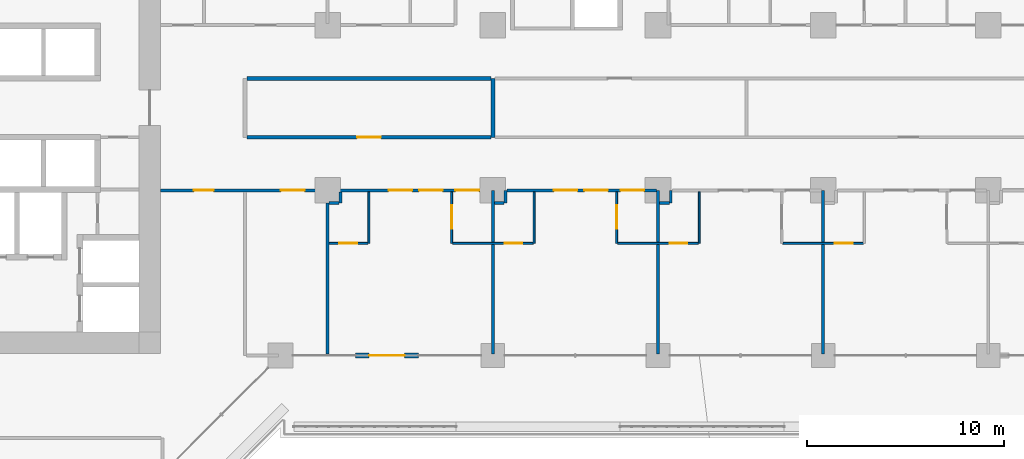
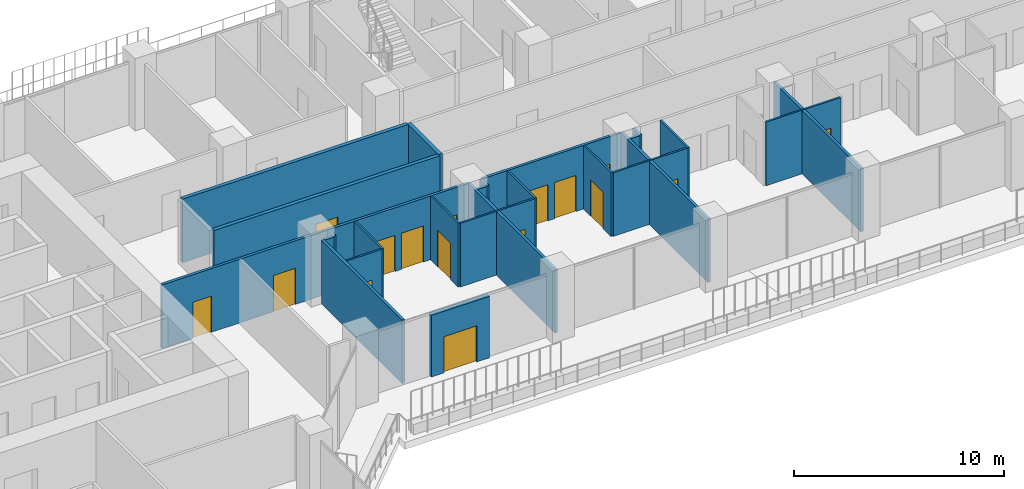
# One storey, part 16 of 28: 25 walls, 16 doors, 16 openings.
"""IFC4 building model written with IfcOpenShell, lengths in metres."""

from ifc_helpers import new_model, si_unit, direction, frame, frame_2d, origin, place, context, subcontext, project, spatial, rectangle, extrude, material, layer, layer_set, type_object, element, fill, save


model = new_model("IFC4")

# Units and contexts
model_context = context("Model", 3, precision=1e-05, world=origin(), true_north=direction((0.0, 1.0)))
body_context = subcontext(model_context, "Body", "Model", "MODEL_VIEW")
ifc_project = project(units=[si_unit("LENGTHUNIT", "METRE"), si_unit("AREAUNIT", "SQUARE_METRE"), si_unit("VOLUMEUNIT", "CUBIC_METRE"), si_unit("PLANEANGLEUNIT", "RADIAN"), si_unit("MASSUNIT", "GRAM", prefix="KILO")], contexts=[model_context])

# Site, building, storey
site_placement = place(None, origin())
site = spatial("IfcSite", under=ifc_project, at=site_placement, CompositionType="ELEMENT")
building_placement = place(site_placement, origin())
building = spatial("IfcBuilding", under=site, at=building_placement, Name="Kawkab Arch Medical Tower", CompositionType="ELEMENT")
storey_placement = place(building_placement, frame((0.0, 0.0, 89.60009765625)))
storey = spatial("IfcBuildingStorey", under=building, at=storey_placement, Name="L20", CompositionType="ELEMENT", Elevation=89.60009765625)

# Wall, opening, door
ifc_material_1 = material(Name="Bronze clad insulated wall panel")
ifc_layer_1 = layer(ifc_material_1, 0.25)
ifc_layer_set_1 = layer_set([ifc_layer_1], Name="Bronze clad insulated wall panel")
wall_type_1 = type_object("IfcWallType", Name="External wall bay 250", PredefinedType="SOLIDWALL", material=ifc_layer_set_1)
wall_1_placement = place(storey_placement, frame((35.0166015625, -25.199951171875, 0.0), z_axis=(0.0, 0.0, 1.0), x_axis=(1.0, 0.0, 0.0)))
wall_1 = element("IfcWall", 1, at=wall_1_placement, inside=storey, type_object=wall_type_1, Name="External wall bay L20.R07.1.2", PredefinedType="SOLIDWALL", context=body_context, shape_type="SweptSolid", body=[
    extrude(rectangle(XDim=3.191650390625, YDim=0.25, at=frame_2d((1.595703125, 0.0))), origin(), (0.0, 0.0, 1.0), 3.579833984375),
])
opening_1_placement = place(wall_1_placement, frame((0.69580078125, 0.0, 0.0)))
opening_1 = element("IfcOpeningElement", 2, at=opening_1_placement, cuts=wall_1, Name="Opening W13B-702", PredefinedType="OPENING", context=body_context, shape_type="SweptSolid", body=[
    extrude(rectangle(XDim=1.800048828125, YDim=2.10009765625, at=frame_2d((0.89990234375, 1.050048828125))), frame((0.0, 0.135009765625, 0.0), z_axis=(0.0, -1.0, 0.0), x_axis=(1.0, 0.0, 0.0)), (0.0, 0.0, 1.0), 0.27001953125),
])
ifc_material_2 = material(Name="Bronze anodised aluminium door with tinted glass", Category="aluminium")
door_type_1 = type_object("IfcDoorType", Name="Double external door 1800 x 2100", OperationType="DOUBLE_DOOR_SINGLE_SWING", PredefinedType="DOOR", material=ifc_material_2)
door_1_placement = place(opening_1_placement, origin())
door_1 = element("IfcDoor", 3, at=door_1_placement, inside=storey, type_object=door_type_1, Name="External door L20.R07.1.2", OperationType="DOUBLE_DOOR_SINGLE_SWING", OverallHeight=2.10009765625, OverallWidth=1.800048828125, PredefinedType="DOOR", context=body_context, shape_type="SweptSolid", body=[
    extrude(rectangle(XDim=1.800048828125, YDim=2.10009765625, at=frame_2d((0.89990234375, 1.050048828125))), frame((0.0, 0.02490234375, 0.0), z_axis=(0.0, -1.0, 0.0), x_axis=(1.0, 0.0, 0.0)), (0.0, 0.0, 1.0), 0.050048828125),
])
fill(opening_1, door_1)

ifc_material_3 = material(Name="Gypsum board partition on steel studs", Category="steel")
ifc_layer_2 = layer(ifc_material_3, 0.10009765625)
ifc_layer_set_2 = layer_set([ifc_layer_2], Name="Gypsum board partition on steel studs")
wall_type_2 = type_object("IfcWallType", Name="Partition 100", PredefinedType="PARTITIONING", material=ifc_layer_set_2)
wall_2_placement = place(storey_placement, frame((33.675048828125, -19.5, 0.0), z_axis=(0.0, 0.0, 1.0), x_axis=(1.0, 0.0, 0.0)))
wall_2 = element("IfcWall", 4, at=wall_2_placement, inside=storey, type_object=wall_type_2, Name="Partition 100 w012", PredefinedType="PARTITIONING", context=body_context, shape_type="SweptSolid", body=[
    extrude(rectangle(XDim=1.974853515625, YDim=0.10009765625, at=frame_2d((0.9873046875, 0.0))), origin(), (0.0, 0.0, 1.0), 3.699951171875),
])
opening_2_placement = place(wall_2_placement, frame((0.52490234375, 0.0, 0.0)))
opening_2 = element("IfcOpeningElement", 5, at=opening_2_placement, cuts=wall_2, Name="Opening W13B-004", PredefinedType="OPENING", context=body_context, shape_type="SweptSolid", body=[
    extrude(rectangle(XDim=0.89990234375, YDim=2.10009765625, at=frame_2d((0.449951171875, 1.050048828125))), frame((0.0, 0.06005859375, 0.0), z_axis=(0.0, -1.0, 0.0), x_axis=(1.0, 0.0, 0.0)), (0.0, 0.0, 1.0), 0.1201171875),
])
ifc_material_4 = material(Name="Timber door leaf", Category="wood")
door_type_2 = type_object("IfcDoorType", Name="Single door 900x2100", OperationType="NOTDEFINED", PredefinedType="DOOR", material=ifc_material_4)
door_2_placement = place(opening_2_placement, origin())
door_2 = element("IfcDoor", 6, at=door_2_placement, inside=storey, type_object=door_type_2, Name="Door W13B-004", OperationType="SINGLE_SWING_LEFT", OverallHeight=2.10009765625, OverallWidth=0.89990234375, PredefinedType="DOOR", context=body_context, shape_type="SweptSolid", body=[
    extrude(rectangle(XDim=0.89990234375, YDim=2.10009765625, at=frame_2d((0.449951171875, 1.050048828125))), frame((0.0, 0.02490234375, 0.0), z_axis=(0.0, -1.0, 0.0), x_axis=(1.0, 0.0, 0.0)), (0.0, 0.0, 1.0), 0.050048828125),
])
fill(opening_2, door_2)

wall_3_placement = place(storey_placement, frame((39.949951171875, -19.5, 0.0), z_axis=(0.0, 0.0, 1.0), x_axis=(1.0, 0.0, 0.0)))
wall_3 = element("IfcWall", 7, at=wall_3_placement, inside=storey, type_object=wall_type_2, Name="Partition 100 w013", PredefinedType="PARTITIONING", context=body_context, shape_type="SweptSolid", body=[
    extrude(rectangle(XDim=4.10009765625, YDim=0.10009765625, at=frame_2d((2.050048828125, 0.0))), origin(), (0.0, 0.0, 1.0), 3.699951171875),
])
opening_3_placement = place(wall_3_placement, frame((2.64990234375, 0.0, 0.0)))
opening_3 = element("IfcOpeningElement", 8, at=opening_3_placement, cuts=wall_3, Name="Opening W13B-005", PredefinedType="OPENING", context=body_context, shape_type="SweptSolid", body=[
    extrude(rectangle(XDim=0.89990234375, YDim=2.10009765625, at=frame_2d((0.449951171875, 1.050048828125))), frame((0.0, 0.06005859375, 0.0), z_axis=(0.0, -1.0, 0.0), x_axis=(1.0, 0.0, 0.0)), (0.0, 0.0, 1.0), 0.1201171875),
])
door_3_placement = place(opening_3_placement, origin())
door_3 = element("IfcDoor", 9, at=door_3_placement, inside=storey, type_object=door_type_2, Name="Door W13B-005", OperationType="SINGLE_SWING_LEFT", OverallHeight=2.10009765625, OverallWidth=0.89990234375, PredefinedType="DOOR", context=body_context, shape_type="SweptSolid", body=[
    extrude(rectangle(XDim=0.89990234375, YDim=2.10009765625, at=frame_2d((0.449951171875, 1.050048828125))), frame((0.0, 0.02490234375, 0.0), z_axis=(0.0, -1.0, 0.0), x_axis=(1.0, 0.0, 0.0)), (0.0, 0.0, 1.0), 0.050048828125),
])
fill(opening_3, door_3)

wall_4_placement = place(storey_placement, frame((48.35009765625, -19.5, 0.0), z_axis=(0.0, 0.0, 1.0), x_axis=(1.0, 0.0, 0.0)))
wall_4 = element("IfcWall", 10, at=wall_4_placement, inside=storey, type_object=wall_type_2, Name="Partition 100 w014", PredefinedType="PARTITIONING", context=body_context, shape_type="SweptSolid", body=[
    extrude(rectangle(XDim=4.099853515625, YDim=0.10009765625, at=frame_2d((2.0498046875, 0.0))), origin(), (0.0, 0.0, 1.0), 3.699951171875),
])
opening_4_placement = place(wall_4_placement, frame((2.64990234375, 0.0, 0.0)))
opening_4 = element("IfcOpeningElement", 11, at=opening_4_placement, cuts=wall_4, Name="Opening W13B-006", PredefinedType="OPENING", context=body_context, shape_type="SweptSolid", body=[
    extrude(rectangle(XDim=0.89990234375, YDim=2.10009765625, at=frame_2d((0.449951171875, 1.050048828125))), frame((0.0, 0.06005859375, 0.0), z_axis=(0.0, -1.0, 0.0), x_axis=(1.0, 0.0, 0.0)), (0.0, 0.0, 1.0), 0.1201171875),
])
door_4_placement = place(opening_4_placement, origin())
door_4 = element("IfcDoor", 12, at=door_4_placement, inside=storey, type_object=door_type_2, Name="Door W13B-006", OperationType="SINGLE_SWING_LEFT", OverallHeight=2.10009765625, OverallWidth=0.89990234375, PredefinedType="DOOR", context=body_context, shape_type="SweptSolid", body=[
    extrude(rectangle(XDim=0.89990234375, YDim=2.10009765625, at=frame_2d((0.449951171875, 1.050048828125))), frame((0.0, 0.02490234375, 0.0), z_axis=(0.0, -1.0, 0.0), x_axis=(1.0, 0.0, 0.0)), (0.0, 0.0, 1.0), 0.050048828125),
])
fill(opening_4, door_4)

wall_5_placement = place(storey_placement, frame((56.75, -19.5, 0.0), z_axis=(0.0, 0.0, 1.0), x_axis=(1.0, 0.0, 0.0)))
wall_5 = element("IfcWall", 13, at=wall_5_placement, inside=storey, type_object=wall_type_2, Name="Partition 100 w015", PredefinedType="PARTITIONING", context=body_context, shape_type="SweptSolid", body=[
    extrude(rectangle(XDim=4.10009765625, YDim=0.10009765625, at=frame_2d((2.050048828125, 0.0))), origin(), (0.0, 0.0, 1.0), 3.699951171875),
])
opening_5_placement = place(wall_5_placement, frame((2.64990234375, 0.0, 0.0)))
opening_5 = element("IfcOpeningElement", 14, at=opening_5_placement, cuts=wall_5, Name="Opening W13B-007", PredefinedType="OPENING", context=body_context, shape_type="SweptSolid", body=[
    extrude(rectangle(XDim=0.89990234375, YDim=2.10009765625, at=frame_2d((0.449951171875, 1.050048828125))), frame((0.0, 0.06005859375, 0.0), z_axis=(0.0, -1.0, 0.0), x_axis=(1.0, 0.0, 0.0)), (0.0, 0.0, 1.0), 0.1201171875),
])
door_5_placement = place(opening_5_placement, origin())
door_5 = element("IfcDoor", 15, at=door_5_placement, inside=storey, type_object=door_type_2, Name="Door W13B-007", OperationType="SINGLE_SWING_LEFT", OverallHeight=2.10009765625, OverallWidth=0.89990234375, PredefinedType="DOOR", context=body_context, shape_type="SweptSolid", body=[
    extrude(rectangle(XDim=0.89990234375, YDim=2.10009765625, at=frame_2d((0.449951171875, 1.050048828125))), frame((0.0, 0.02490234375, 0.0), z_axis=(0.0, -1.0, 0.0), x_axis=(1.0, 0.0, 0.0)), (0.0, 0.0, 1.0), 0.050048828125),
])
fill(opening_5, door_5)

# Wall
wall_6_placement = place(storey_placement, frame((35.699951171875, -19.5, 0.0), z_axis=(0.0, 0.0, 1.0), x_axis=(0.0, 1.0, 0.0)))
element("IfcWall", 16, at=wall_6_placement, inside=storey, type_object=wall_type_2, Name="Partition 100 w029", PredefinedType="PARTITIONING", context=body_context, shape_type="SweptSolid", body=[
    extrude(rectangle(XDim=2.625, YDim=0.10009765625, at=frame_2d((1.3125, 0.0))), origin(), (0.0, 0.0, 1.0), 3.699951171875),
])

# Wall, opening, door
wall_7_placement = place(storey_placement, frame((39.89990234375, -19.5, 0.0), z_axis=(0.0, 0.0, 1.0), x_axis=(0.0, 1.0, 0.0)))
wall_7 = element("IfcWall", 17, at=wall_7_placement, inside=storey, type_object=wall_type_2, Name="Partition 100 w030", PredefinedType="PARTITIONING", context=body_context, shape_type="SweptSolid", body=[
    extrude(rectangle(XDim=2.625, YDim=0.10009765625, at=frame_2d((1.3125, 0.0))), origin(), (0.0, 0.0, 1.0), 3.699951171875),
])
opening_6_placement = place(wall_7_placement, frame((0.75, 0.0, 0.0)))
opening_6 = element("IfcOpeningElement", 18, at=opening_6_placement, cuts=wall_7, Name="Opening W13B-050", PredefinedType="OPENING", context=body_context, shape_type="SweptSolid", body=[
    extrude(rectangle(XDim=1.199951171875, YDim=2.10009765625, at=frame_2d((0.60009765625, 1.050048828125))), frame((0.0, 0.06005859375, 0.0), z_axis=(0.0, -1.0, 0.0), x_axis=(1.0, 0.0, 0.0)), (0.0, 0.0, 1.0), 0.1201171875),
])
ifc_material_5 = material(Name="Timber door leaf", Category="wood")
door_type_3 = type_object("IfcDoorType", Name="Single door 1200x2100", OperationType="NOTDEFINED", PredefinedType="DOOR", material=ifc_material_5)
door_6_placement = place(opening_6_placement, origin())
door_6 = element("IfcDoor", 19, at=door_6_placement, inside=storey, type_object=door_type_3, Name="Door W13B-050", OperationType="SINGLE_SWING_LEFT", OverallHeight=2.10009765625, OverallWidth=1.199951171875, PredefinedType="DOOR", context=body_context, shape_type="SweptSolid", body=[
    extrude(rectangle(XDim=1.199951171875, YDim=2.10009765625, at=frame_2d((0.60009765625, 1.050048828125))), frame((0.0, 0.02490234375, 0.0), z_axis=(0.0, -1.0, 0.0), x_axis=(1.0, 0.0, 0.0)), (0.0, 0.0, 1.0), 0.050048828125),
])
fill(opening_6, door_6)

# Wall
wall_8_placement = place(storey_placement, frame((44.10009765625, -19.5, 0.0), z_axis=(0.0, 0.0, 1.0), x_axis=(0.0, 1.0, 0.0)))
element("IfcWall", 20, at=wall_8_placement, inside=storey, type_object=wall_type_2, Name="Partition 100 w031", PredefinedType="PARTITIONING", context=body_context, shape_type="SweptSolid", body=[
    extrude(rectangle(XDim=2.625, YDim=0.10009765625, at=frame_2d((1.3125, 0.0))), origin(), (0.0, 0.0, 1.0), 3.699951171875),
])

# Wall, opening, door
wall_9_placement = place(storey_placement, frame((48.300048828125, -19.5, 0.0), z_axis=(0.0, 0.0, 1.0), x_axis=(0.0, 1.0, 0.0)))
wall_9 = element("IfcWall", 21, at=wall_9_placement, inside=storey, type_object=wall_type_2, Name="Partition 100 w032", PredefinedType="PARTITIONING", context=body_context, shape_type="SweptSolid", body=[
    extrude(rectangle(XDim=2.625, YDim=0.10009765625, at=frame_2d((1.3125, 0.0))), origin(), (0.0, 0.0, 1.0), 3.699951171875),
])
opening_7_placement = place(wall_9_placement, frame((0.75, 0.0, 0.0)))
opening_7 = element("IfcOpeningElement", 22, at=opening_7_placement, cuts=wall_9, Name="Opening W13B-054", PredefinedType="OPENING", context=body_context, shape_type="SweptSolid", body=[
    extrude(rectangle(XDim=1.199951171875, YDim=2.10009765625, at=frame_2d((0.60009765625, 1.050048828125))), frame((0.0, 0.06005859375, 0.0), z_axis=(0.0, -1.0, 0.0), x_axis=(1.0, 0.0, 0.0)), (0.0, 0.0, 1.0), 0.1201171875),
])
door_7_placement = place(opening_7_placement, origin())
door_7 = element("IfcDoor", 23, at=door_7_placement, inside=storey, type_object=door_type_3, Name="Door W13B-054", OperationType="SINGLE_SWING_RIGHT", OverallHeight=2.10009765625, OverallWidth=1.199951171875, PredefinedType="DOOR", context=body_context, shape_type="SweptSolid", body=[
    extrude(rectangle(XDim=1.199951171875, YDim=2.10009765625, at=frame_2d((0.60009765625, 1.050048828125))), frame((0.0, 0.02490234375, 0.0), z_axis=(0.0, -1.0, 0.0), x_axis=(1.0, 0.0, 0.0)), (0.0, 0.0, 1.0), 0.050048828125),
])
fill(opening_7, door_7)

# Walls
wall_10_placement = place(storey_placement, frame((52.5, -19.5, 0.0), z_axis=(0.0, 0.0, 1.0), x_axis=(0.0, 1.0, 0.0)))
element("IfcWall", 24, at=wall_10_placement, inside=storey, type_object=wall_type_2, Name="Partition 100 w033", PredefinedType="PARTITIONING", context=body_context, shape_type="SweptSolid", body=[
    extrude(rectangle(XDim=2.625, YDim=0.10009765625, at=frame_2d((1.3125, 0.0))), origin(), (0.0, 0.0, 1.0), 3.699951171875),
])
ifc_material_6 = material(Name="Gypsum board partition on steel studs, mineral wool", Category="steel")
ifc_layer_3 = layer(ifc_material_6, 0.14990234375)
ifc_layer_set_3 = layer_set([ifc_layer_3], Name="Gypsum board partition on steel studs, mineral wool")
wall_type_3 = type_object("IfcWallType", Name="Partition 150", PredefinedType="PARTITIONING", material=ifc_layer_set_3)
wall_11_placement = place(storey_placement, frame((33.677001953125, -17.449951171875, 0.0), z_axis=(0.0, 0.0, 1.0), x_axis=(1.0, 0.0, 0.0)))
element("IfcWall", 25, at=wall_11_placement, inside=storey, type_object=wall_type_3, Name="Partition 150 w065", PredefinedType="PARTITIONING", context=body_context, shape_type="SweptSolid", body=[
    extrude(rectangle(XDim=0.498046875, YDim=0.14990234375, at=frame_2d((0.2490234375, 0.0))), origin(), (0.0, 0.0, 1.0), 3.699951171875),
])
for number, where, z_axis, x_axis, name in (
    (26, (42.074951171875, -17.449951171875, 0.0), (0.0, 0.0, 1.0), (1.0, 0.0, 0.0), "Partition 150 w066"),
    (27, (50.47509765625, -17.449951171875, 0.0), (0.0, 0.0, 1.0), (1.0, 0.0, 0.0), "Partition 150 w067"),
):
    element("IfcWall", number, at=place(storey_placement, frame(where, z_axis=z_axis, x_axis=x_axis)), inside=storey, type_object=wall_type_3, Name=name, PredefinedType="PARTITIONING", context=body_context, shape_type="SweptSolid", body=[
        extrude(rectangle(XDim=0.5, YDim=0.14990234375, at=frame_2d((0.25, 0.0))), origin(), (0.0, 0.0, 1.0), 3.699951171875),
    ])

# Wall, openings, doors
wall_12_placement = place(storey_placement, frame((25.10009765625, -16.800048828125, 0.0), z_axis=(0.0, 0.0, 1.0), x_axis=(1.0, 0.0, 0.0)))
wall_12 = element("IfcWall", 28, at=wall_12_placement, inside=storey, type_object=wall_type_3, Name="Partition 150 w070", PredefinedType="PARTITIONING", context=body_context, shape_type="SweptSolid", body=[
    extrude(rectangle(XDim=16.822998046875, YDim=0.14990234375, at=frame_2d((8.41162109375, 0.0))), origin(), (0.0, 0.0, 1.0), 3.699951171875),
])
opening_8_placement = place(wall_12_placement, frame((1.699951171875, 0.0, 0.0)))
opening_8 = element("IfcOpeningElement", 29, at=opening_8_placement, cuts=wall_12, Name="Opening W13B-021", PredefinedType="OPENING", context=body_context, shape_type="SweptSolid", body=[
    extrude(rectangle(XDim=1.0, YDim=2.10009765625, at=frame_2d((0.5, 1.050048828125))), frame((0.0, 0.0849609375, 0.0), z_axis=(0.0, -1.0, 0.0), x_axis=(1.0, 0.0, 0.0)), (0.0, 0.0, 1.0), 0.169921875),
])
opening_9_placement = place(wall_12_placement, frame((6.125, 0.0, 0.0)))
opening_9 = element("IfcOpeningElement", 30, at=opening_9_placement, cuts=wall_12, Name="Opening W13B-046", PredefinedType="OPENING", context=body_context, shape_type="SweptSolid", body=[
    extrude(rectangle(XDim=1.199951171875, YDim=2.10009765625, at=frame_2d((0.60009765625, 1.050048828125))), frame((0.0, 0.0849609375, 0.0), z_axis=(0.0, -1.0, 0.0), x_axis=(1.0, 0.0, 0.0)), (0.0, 0.0, 1.0), 0.169921875),
])
opening_10_placement = place(wall_12_placement, frame((13.14990234375, 0.0, 0.0)))
opening_10 = element("IfcOpeningElement", 31, at=opening_10_placement, cuts=wall_12, Name="Opening W13B-047", PredefinedType="OPENING", context=body_context, shape_type="SweptSolid", body=[
    extrude(rectangle(XDim=1.199951171875, YDim=2.10009765625, at=frame_2d((0.60009765625, 1.050048828125))), frame((0.0, 0.0849609375, 0.0), z_axis=(0.0, -1.0, 0.0), x_axis=(1.0, 0.0, 0.0)), (0.0, 0.0, 1.0), 0.169921875),
])
opening_11_placement = place(wall_12_placement, frame((11.60009765625, 0.0, 0.0)))
opening_11 = element("IfcOpeningElement", 32, at=opening_11_placement, cuts=wall_12, Name="Opening W13B-048", PredefinedType="OPENING", context=body_context, shape_type="SweptSolid", body=[
    extrude(rectangle(XDim=1.199951171875, YDim=2.10009765625, at=frame_2d((0.60009765625, 1.050048828125))), frame((0.0, 0.0849609375, 0.0), z_axis=(0.0, -1.0, 0.0), x_axis=(1.0, 0.0, 0.0)), (0.0, 0.0, 1.0), 0.169921875),
])
opening_12_placement = place(wall_12_placement, frame((15.0, 0.0, 0.0)))
opening_12 = element("IfcOpeningElement", 33, at=opening_12_placement, cuts=wall_12, Name="Opening W13B-049", PredefinedType="OPENING", context=body_context, shape_type="SweptSolid", body=[
    extrude(rectangle(XDim=1.199951171875, YDim=2.10009765625, at=frame_2d((0.60009765625, 1.050048828125))), frame((0.0, 0.0849609375, 0.0), z_axis=(0.0, -1.0, 0.0), x_axis=(1.0, 0.0, 0.0)), (0.0, 0.0, 1.0), 0.169921875),
])
ifc_material_7 = material(Name="Hollow metal door leaf")
door_type_4 = type_object("IfcDoorType", Name="Single door 1000x2100 FD30S", OperationType="NOTDEFINED", PredefinedType="DOOR", material=ifc_material_7)
door_8_placement = place(opening_8_placement, origin())
door_8 = element("IfcDoor", 34, at=door_8_placement, inside=storey, type_object=door_type_4, Name="Door W13B-021", OperationType="SINGLE_SWING_RIGHT", OverallHeight=2.10009765625, OverallWidth=1.0, PredefinedType="DOOR", context=body_context, shape_type="SweptSolid", body=[
    extrude(rectangle(XDim=1.0, YDim=2.10009765625, at=frame_2d((0.5, 1.050048828125))), frame((0.0, 0.02490234375, 0.0), z_axis=(0.0, -1.0, 0.0), x_axis=(1.0, 0.0, 0.0)), (0.0, 0.0, 1.0), 0.050048828125),
])
fill(opening_8, door_8)
ifc_material_8 = material(Name="Hollow metal door leaf")
door_type_5 = type_object("IfcDoorType", Name="Single door 1200x2100 FD30S", OperationType="NOTDEFINED", PredefinedType="DOOR", material=ifc_material_8)
door_9_placement = place(opening_9_placement, origin())
door_9 = element("IfcDoor", 35, at=door_9_placement, inside=storey, type_object=door_type_5, Name="Door W13B-046", OperationType="SINGLE_SWING_RIGHT", OverallHeight=2.10009765625, OverallWidth=1.199951171875, PredefinedType="DOOR", context=body_context, shape_type="SweptSolid", body=[
    extrude(rectangle(XDim=1.199951171875, YDim=2.10009765625, at=frame_2d((0.60009765625, 1.050048828125))), frame((0.0, 0.02490234375, 0.0), z_axis=(0.0, -1.0, 0.0), x_axis=(1.0, 0.0, 0.0)), (0.0, 0.0, 1.0), 0.050048828125),
])
fill(opening_9, door_9)
door_10_placement = place(opening_10_placement, origin())
door_10 = element("IfcDoor", 36, at=door_10_placement, inside=storey, type_object=door_type_5, Name="Door W13B-047", OperationType="SINGLE_SWING_LEFT", OverallHeight=2.10009765625, OverallWidth=1.199951171875, PredefinedType="DOOR", context=body_context, shape_type="SweptSolid", body=[
    extrude(rectangle(XDim=1.199951171875, YDim=2.10009765625, at=frame_2d((0.60009765625, 1.050048828125))), frame((0.0, 0.02490234375, 0.0), z_axis=(0.0, -1.0, 0.0), x_axis=(1.0, 0.0, 0.0)), (0.0, 0.0, 1.0), 0.050048828125),
])
fill(opening_10, door_10)
door_11_placement = place(opening_11_placement, origin())
door_11 = element("IfcDoor", 37, at=door_11_placement, inside=storey, type_object=door_type_5, Name="Door W13B-048", OperationType="SINGLE_SWING_LEFT", OverallHeight=2.10009765625, OverallWidth=1.199951171875, PredefinedType="DOOR", context=body_context, shape_type="SweptSolid", body=[
    extrude(rectangle(XDim=1.199951171875, YDim=2.10009765625, at=frame_2d((0.60009765625, 1.050048828125))), frame((0.0, 0.02490234375, 0.0), z_axis=(0.0, -1.0, 0.0), x_axis=(1.0, 0.0, 0.0)), (0.0, 0.0, 1.0), 0.050048828125),
])
fill(opening_11, door_11)
door_12_placement = place(opening_12_placement, origin())
door_12 = element("IfcDoor", 38, at=door_12_placement, inside=storey, type_object=door_type_5, Name="Door W13B-049", OperationType="SINGLE_SWING_LEFT", OverallHeight=2.10009765625, OverallWidth=1.199951171875, PredefinedType="DOOR", context=body_context, shape_type="SweptSolid", body=[
    extrude(rectangle(XDim=1.199951171875, YDim=2.10009765625, at=frame_2d((0.60009765625, 1.050048828125))), frame((0.0, 0.02490234375, 0.0), z_axis=(0.0, -1.0, 0.0), x_axis=(1.0, 0.0, 0.0)), (0.0, 0.0, 1.0), 0.050048828125),
])
fill(opening_12, door_12)

wall_13_placement = place(storey_placement, frame((42.72705078125, -16.800048828125, 0.0), z_axis=(0.0, 0.0, 1.0), x_axis=(1.0, 0.0, 0.0)))
wall_13 = element("IfcWall", 39, at=wall_13_placement, inside=storey, type_object=wall_type_3, Name="Partition 150 w071", PredefinedType="PARTITIONING", context=body_context, shape_type="SweptSolid", body=[
    extrude(rectangle(XDim=7.594970703125, YDim=0.14990234375, at=frame_2d((3.79736328125, 0.0))), origin(), (0.0, 0.0, 1.0), 3.699951171875),
])
opening_13_placement = place(wall_13_placement, frame((3.923095703125, 0.0, 0.0)))
opening_13 = element("IfcOpeningElement", 40, at=opening_13_placement, cuts=wall_13, Name="Opening W13B-051", PredefinedType="OPENING", context=body_context, shape_type="SweptSolid", body=[
    extrude(rectangle(XDim=1.199951171875, YDim=2.10009765625, at=frame_2d((0.60009765625, 1.050048828125))), frame((0.0, 0.0849609375, 0.0), z_axis=(0.0, -1.0, 0.0), x_axis=(1.0, 0.0, 0.0)), (0.0, 0.0, 1.0), 0.169921875),
])
opening_14_placement = place(wall_13_placement, frame((2.373046875, 0.0, 0.0)))
opening_14 = element("IfcOpeningElement", 41, at=opening_14_placement, cuts=wall_13, Name="Opening W13B-052", PredefinedType="OPENING", context=body_context, shape_type="SweptSolid", body=[
    extrude(rectangle(XDim=1.199951171875, YDim=2.10009765625, at=frame_2d((0.60009765625, 1.050048828125))), frame((0.0, 0.0849609375, 0.0), z_axis=(0.0, -1.0, 0.0), x_axis=(1.0, 0.0, 0.0)), (0.0, 0.0, 1.0), 0.169921875),
])
opening_15_placement = place(wall_13_placement, frame((5.77294921875, 0.0, 0.0)))
opening_15 = element("IfcOpeningElement", 42, at=opening_15_placement, cuts=wall_13, Name="Opening W13B-053", PredefinedType="OPENING", context=body_context, shape_type="SweptSolid", body=[
    extrude(rectangle(XDim=1.199951171875, YDim=2.10009765625, at=frame_2d((0.60009765625, 1.050048828125))), frame((0.0, 0.0849609375, 0.0), z_axis=(0.0, -1.0, 0.0), x_axis=(1.0, 0.0, 0.0)), (0.0, 0.0, 1.0), 0.169921875),
])
door_13_placement = place(opening_13_placement, origin())
door_13 = element("IfcDoor", 43, at=door_13_placement, inside=storey, type_object=door_type_5, Name="Door W13B-051", OperationType="SINGLE_SWING_LEFT", OverallHeight=2.10009765625, OverallWidth=1.199951171875, PredefinedType="DOOR", context=body_context, shape_type="SweptSolid", body=[
    extrude(rectangle(XDim=1.199951171875, YDim=2.10009765625, at=frame_2d((0.60009765625, 1.050048828125))), frame((0.0, 0.02490234375, 0.0), z_axis=(0.0, -1.0, 0.0), x_axis=(1.0, 0.0, 0.0)), (0.0, 0.0, 1.0), 0.050048828125),
])
fill(opening_13, door_13)
door_14_placement = place(opening_14_placement, origin())
door_14 = element("IfcDoor", 44, at=door_14_placement, inside=storey, type_object=door_type_5, Name="Door W13B-052", OperationType="SINGLE_SWING_RIGHT", OverallHeight=2.10009765625, OverallWidth=1.199951171875, PredefinedType="DOOR", context=body_context, shape_type="SweptSolid", body=[
    extrude(rectangle(XDim=1.199951171875, YDim=2.10009765625, at=frame_2d((0.60009765625, 1.050048828125))), frame((0.0, 0.02490234375, 0.0), z_axis=(0.0, -1.0, 0.0), x_axis=(1.0, 0.0, 0.0)), (0.0, 0.0, 1.0), 0.050048828125),
])
fill(opening_14, door_14)
door_15_placement = place(opening_15_placement, origin())
door_15 = element("IfcDoor", 45, at=door_15_placement, inside=storey, type_object=door_type_5, Name="Door W13B-053", OperationType="SINGLE_SWING_LEFT", OverallHeight=2.10009765625, OverallWidth=1.199951171875, PredefinedType="DOOR", context=body_context, shape_type="SweptSolid", body=[
    extrude(rectangle(XDim=1.199951171875, YDim=2.10009765625, at=frame_2d((0.60009765625, 1.050048828125))), frame((0.0, 0.02490234375, 0.0), z_axis=(0.0, -1.0, 0.0), x_axis=(1.0, 0.0, 0.0)), (0.0, 0.0, 1.0), 0.050048828125),
])
fill(opening_15, door_15)

# Walls
wall_14_placement = place(storey_placement, frame((33.60009765625, -25.1201171875, 0.0), z_axis=(0.0, 0.0, 1.0), x_axis=(0.0, 1.0, 0.0)))
element("IfcWall", 46, at=wall_14_placement, inside=storey, type_object=wall_type_3, Name="Partition 150 w096", PredefinedType="PARTITIONING", context=body_context, shape_type="SweptSolid", body=[
    extrude(rectangle(XDim=7.668212890625, YDim=0.14990234375, at=frame_2d((3.833984375, 0.0))), origin(), (0.0, 0.0, 1.0), 3.699951171875),
])
wall_15_placement = place(storey_placement, frame((34.25, -17.449951171875, 0.0), z_axis=(0.0, 0.0, 1.0), x_axis=(0.0, 1.0, 0.0)))
element("IfcWall", 47, at=wall_15_placement, inside=storey, type_object=wall_type_3, Name="Partition 150 w098", PredefinedType="PARTITIONING", context=body_context, shape_type="SweptSolid", body=[
    extrude(rectangle(XDim=0.574951171875, YDim=0.14990234375, at=frame_2d((0.28759765625, 0.0))), origin(), (0.0, 0.0, 1.0), 3.699951171875),
])
wall_16_placement = place(storey_placement, frame((42.0, -25.1201171875, 0.0), z_axis=(0.0, 0.0, 1.0), x_axis=(0.0, 1.0, 0.0)))
element("IfcWall", 48, at=wall_16_placement, inside=storey, type_object=wall_type_3, Name="Partition 150 w102", PredefinedType="PARTITIONING", context=body_context, shape_type="SweptSolid", body=[
    extrude(rectangle(XDim=8.318115234375, YDim=0.14990234375, at=frame_2d((4.1591796875, 0.0))), origin(), (0.0, 0.0, 1.0), 3.699951171875),
])
wall_17_placement = place(storey_placement, frame((42.64990234375, -17.449951171875, 0.0), z_axis=(0.0, 0.0, 1.0), x_axis=(0.0, 1.0, 0.0)))
element("IfcWall", 49, at=wall_17_placement, inside=storey, type_object=wall_type_3, Name="Partition 150 w103", PredefinedType="PARTITIONING", context=body_context, shape_type="SweptSolid", body=[
    extrude(rectangle(XDim=0.64794921875, YDim=0.14990234375, at=frame_2d((0.323974609375, 0.0))), origin(), (0.0, 0.0, 1.0), 3.699951171875),
])
wall_18_placement = place(storey_placement, frame((50.39990234375, -25.1201171875, 0.0), z_axis=(0.0, 0.0, 1.0), x_axis=(0.0, 1.0, 0.0)))
element("IfcWall", 50, at=wall_18_placement, inside=storey, type_object=wall_type_3, Name="Partition 150 w105", PredefinedType="PARTITIONING", context=body_context, shape_type="SweptSolid", body=[
    extrude(rectangle(XDim=8.317138671875, YDim=0.14990234375, at=frame_2d((4.15869140625, 0.0))), origin(), (0.0, 0.0, 1.0), 3.699951171875),
])
wall_19_placement = place(storey_placement, frame((51.050048828125, -17.449951171875, 0.0), z_axis=(0.0, 0.0, 1.0), x_axis=(0.0, 1.0, 0.0)))
element("IfcWall", 51, at=wall_19_placement, inside=storey, type_object=wall_type_3, Name="Partition 150 w107", PredefinedType="PARTITIONING", context=body_context, shape_type="SweptSolid", body=[
    extrude(rectangle(XDim=0.64697265625, YDim=0.14990234375, at=frame_2d((0.323486328125, 0.0))), origin(), (0.0, 0.0, 1.0), 3.699951171875),
])
wall_20_placement = place(storey_placement, frame((58.800048828125, -25.1201171875, 0.0), z_axis=(0.0, 0.0, 1.0), x_axis=(0.0, 1.0, 0.0)))
element("IfcWall", 52, at=wall_20_placement, inside=storey, type_object=wall_type_3, Name="Partition 150 w110", PredefinedType="PARTITIONING", context=body_context, shape_type="SweptSolid", body=[
    extrude(rectangle(XDim=8.317138671875, YDim=0.14990234375, at=frame_2d((4.15869140625, 0.0))), origin(), (0.0, 0.0, 1.0), 3.699951171875),
])

# Wall, opening, door
ifc_material_9 = material(Name="Fire-rated gypsum board partition on steel studs", Category="steel")
ifc_layer_4 = layer(ifc_material_9, 0.199951171875)
ifc_layer_set_4 = layer_set([ifc_layer_4], Name="Fire-rated gypsum board partition on steel studs")
wall_type_4 = type_object("IfcWallType", Name="Protected partition 200", PredefinedType="PARTITIONING", material=ifc_layer_set_4)
wall_21_placement = place(storey_placement, frame((29.5, -14.10009765625, 0.0), z_axis=(0.0, 0.0, 1.0), x_axis=(1.0, 0.0, 0.0)))
wall_21 = element("IfcWall", 53, at=wall_21_placement, inside=storey, type_object=wall_type_4, Name="Protected partition 200 w121", PredefinedType="PARTITIONING", context=body_context, shape_type="SweptSolid", body=[
    extrude(rectangle(XDim=12.39990234375, YDim=0.199951171875, at=frame_2d((6.199951171875, 0.0))), origin(), (0.0, 0.0, 1.0), 3.699951171875),
])
opening_16_placement = place(wall_21_placement, frame((5.60009765625, 0.0, 0.0)))
opening_16 = element("IfcOpeningElement", 54, at=opening_16_placement, cuts=wall_21, Name="Opening W13B-086", PredefinedType="OPENING", context=body_context, shape_type="SweptSolid", body=[
    extrude(rectangle(XDim=1.199951171875, YDim=2.10009765625, at=frame_2d((0.60009765625, 1.050048828125))), frame((0.0, 0.10986328125, 0.0), z_axis=(0.0, -1.0, 0.0), x_axis=(1.0, 0.0, 0.0)), (0.0, 0.0, 1.0), 0.219970703125),
])
ifc_material_10 = material(Name="Hollow metal door leaf")
door_type_6 = type_object("IfcDoorType", Name="Single door 1200x2100 FD60", OperationType="NOTDEFINED", PredefinedType="DOOR", material=ifc_material_10)
door_16_placement = place(opening_16_placement, origin())
door_16 = element("IfcDoor", 55, at=door_16_placement, inside=storey, type_object=door_type_6, Name="Door W13B-086", OperationType="SINGLE_SWING_LEFT", OverallHeight=2.10009765625, OverallWidth=1.199951171875, PredefinedType="DOOR", context=body_context, shape_type="SweptSolid", body=[
    extrude(rectangle(XDim=1.199951171875, YDim=2.10009765625, at=frame_2d((0.60009765625, 1.050048828125))), frame((0.0, 0.02490234375, 0.0), z_axis=(0.0, -1.0, 0.0), x_axis=(1.0, 0.0, 0.0)), (0.0, 0.0, 1.0), 0.050048828125),
])
fill(opening_16, door_16)

# Walls
wall_22_placement = place(storey_placement, frame((29.5, -11.10009765625, 0.0), z_axis=(0.0, 0.0, 1.0), x_axis=(1.0, 0.0, 0.0)))
element("IfcWall", 56, at=wall_22_placement, inside=storey, type_object=wall_type_4, Name="Protected partition 200 w122", PredefinedType="PARTITIONING", context=body_context, shape_type="SweptSolid", body=[
    extrude(rectangle(XDim=12.39990234375, YDim=0.199951171875, at=frame_2d((6.199951171875, 0.0))), origin(), (0.0, 0.0, 1.0), 3.699951171875),
])
wall_23_placement = place(storey_placement, frame((42.0, -14.10009765625, 0.0), z_axis=(0.0, 0.0, 1.0), x_axis=(0.0, 1.0, 0.0)))
element("IfcWall", 57, at=wall_23_placement, inside=storey, type_object=wall_type_4, Name="Protected partition 200 w126", PredefinedType="PARTITIONING", context=body_context, shape_type="SweptSolid", body=[
    extrude(rectangle(XDim=3.0, YDim=0.199951171875, at=frame_2d((1.5, 0.0))), origin(), (0.0, 0.0, 1.0), 3.699951171875),
])

save(model, "model.ifc")
